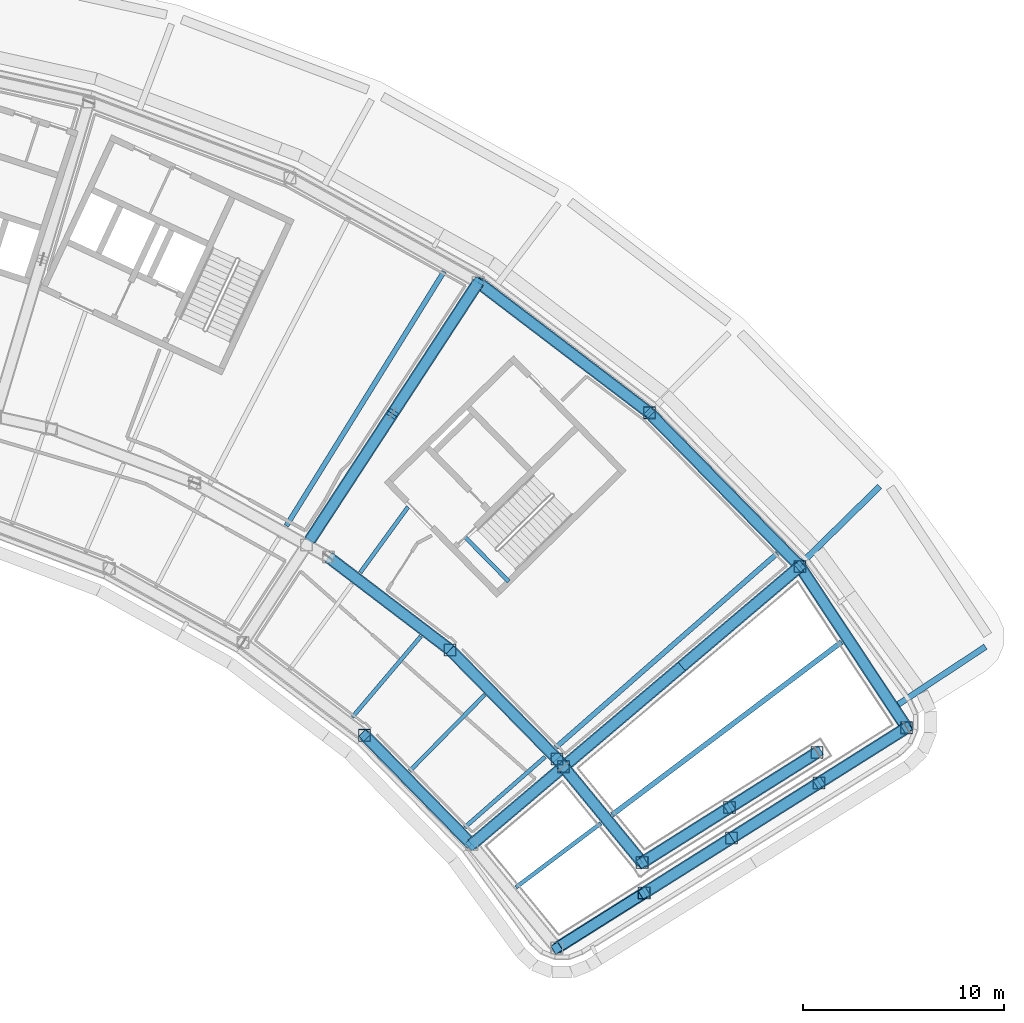
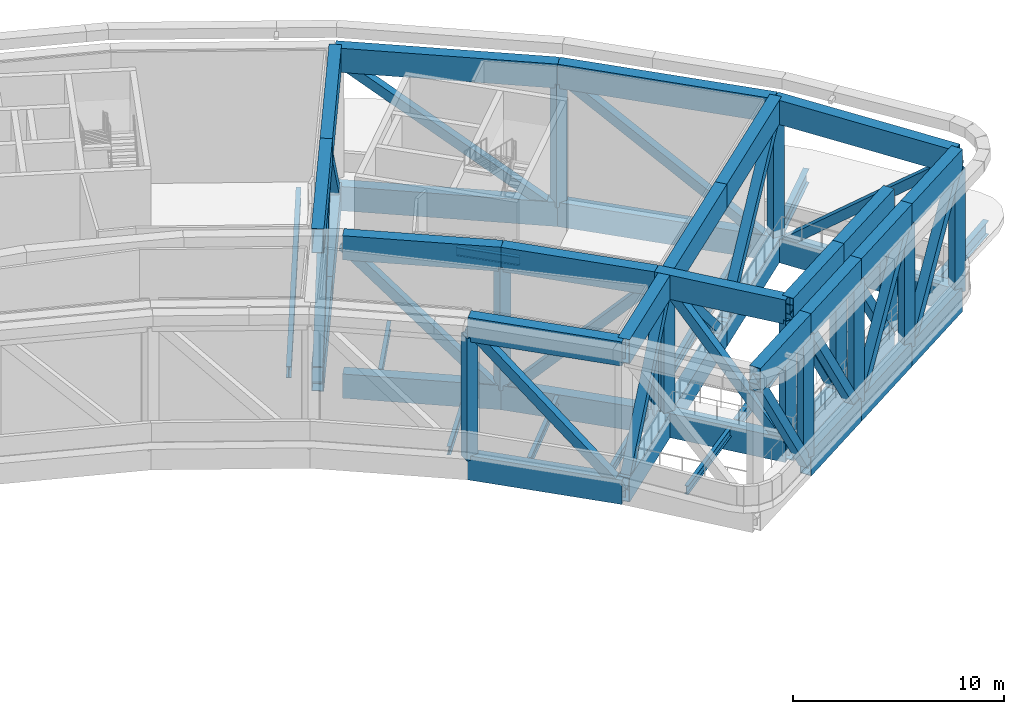
# One storey, part 4 of 24: 46 beams, 32 members.
"""IFC4 building model written with IfcOpenShell, lengths in metres."""

from ifc_helpers import new_model, si_unit, direction, frame, origin, origin_2d, place, context, subcontext, project, spatial, hollow_rectangle, i_section, extrude, material, material_profile, profile_set, type_object, element, save


model = new_model("IFC4")

# Units and contexts
model_context = context("Model", 3, precision=1e-05, world=origin(), true_north=direction((0.0, 1.0)))
body_context = subcontext(model_context, "Body", "Model", "MODEL_VIEW")
ifc_project = project(units=[si_unit("LENGTHUNIT", "METRE"), si_unit("AREAUNIT", "SQUARE_METRE"), si_unit("VOLUMEUNIT", "CUBIC_METRE"), si_unit("PLANEANGLEUNIT", "RADIAN"), si_unit("MASSUNIT", "GRAM", prefix="KILO")], contexts=[model_context])

# Site, building, storey
site_placement = place(None, origin())
site = spatial("IfcSite", under=ifc_project, at=site_placement, CompositionType="ELEMENT")
building_placement = place(site_placement, origin())
building = spatial("IfcBuilding", under=site, at=building_placement, Name="Tuul Gate Civic Tower", CompositionType="ELEMENT")
storey_placement = place(building_placement, frame((0.0, 0.0, 277.800048828125)))
storey = spatial("IfcBuildingStorey", under=building, at=storey_placement, Name="Wind floor 2", CompositionType="ELEMENT", Elevation=277.800048828125)

# Beams
ifc_material_1 = material(Name="Steel S355", Category="steel")
ifc_material_profile_1 = material_profile(ifc_material_1, i_section(OverallWidth=0.199951171875, OverallDepth=0.5, WebThickness=0.010009765625, FlangeThickness=0.01611328125, at=origin_2d()), Name="PG500x200x10x16")
ifc_profile_set_1 = profile_set([ifc_material_profile_1], Name="Steel S355")
beam_type_1 = type_object("IfcBeamType", Name="STR-FLOOR BEAM-PG500x200x10x16", PredefinedType="BEAM", material=ifc_profile_set_1)
beam_1_placement = place(storey_placement, frame((49.064697265625, -32.816650390625, -0.650146484375), z_axis=(0.798704369582, 0.601723632585, 0.0), x_axis=(-0.601723632585, 0.798704369582, 0.0)))
element("IfcBeam", 1, at=beam_1_placement, inside=storey, type_object=beam_type_1, Name="Floor beam", PredefinedType="BEAM", context=body_context, shape_type="SweptSolid", body=[
    extrude(i_section(OverallWidth=0.199951171875, OverallDepth=0.5, WebThickness=0.010009765625, FlangeThickness=0.01611328125, at=origin_2d()), origin(), (0.0, 0.0, 1.0), 5.276123046875),
])
beam_2_placement = place(storey_placement, frame((46.52294921875, -29.83984375, -0.650146484375), z_axis=(0.752009456766, 0.659152316945, 0.0), x_axis=(-0.659152316945, 0.752009456766, 0.0)))
element("IfcBeam", 2, at=beam_2_placement, inside=storey, type_object=beam_type_1, Name="Floor beam", PredefinedType="BEAM", context=body_context, shape_type="SweptSolid", body=[
    extrude(i_section(OverallWidth=0.199951171875, OverallDepth=0.5, WebThickness=0.010009765625, FlangeThickness=0.01611328125, at=origin_2d()), origin(), (0.0, 0.0, 1.0), 5.308349609375),
])
beam_3_placement = place(storey_placement, frame((43.787841796875, -27.049072265625, -0.650146484375), z_axis=(0.701209808499, 0.712954980672, 0.0), x_axis=(-0.712954980672, 0.701209808499, 0.0)))
element("IfcBeam", 3, at=beam_3_placement, inside=storey, type_object=beam_type_1, Name="Floor beam", PredefinedType="BEAM", context=body_context, shape_type="SweptSolid", body=[
    extrude(i_section(OverallWidth=0.199951171875, OverallDepth=0.5, WebThickness=0.010009765625, FlangeThickness=0.01611328125, at=origin_2d()), origin(), (0.0, 0.0, 1.0), 5.300537109375),
])
beam_4_placement = place(storey_placement, frame((40.9462890625, -24.367431640625, -0.650146484375), z_axis=(0.6465629616, 0.762860627302, 0.0), x_axis=(-0.762860627302, 0.6465629616, 0.0)))
element("IfcBeam", 4, at=beam_4_placement, inside=storey, type_object=beam_type_1, Name="Floor beam", PredefinedType="BEAM", context=body_context, shape_type="SweptSolid", body=[
    extrude(i_section(OverallWidth=0.199951171875, OverallDepth=0.5, WebThickness=0.010009765625, FlangeThickness=0.01611328125, at=origin_2d()), origin(), (0.0, 0.0, 1.0), 5.25244140625),
])
beam_5_placement = place(storey_placement, frame((41.33642578125, -17.192626953125, -0.650146484375), z_axis=(0.588384187957, 0.808581503228, 0.0), x_axis=(-0.808581503228, 0.588384187957, 0.0)))
element("IfcBeam", 5, at=beam_5_placement, inside=storey, type_object=beam_type_1, Name="Floor beam", PredefinedType="BEAM", context=body_context, shape_type="SweptSolid", body=[
    extrude(i_section(OverallWidth=0.199951171875, OverallDepth=0.5, WebThickness=0.010009765625, FlangeThickness=0.01611328125, at=origin_2d()), origin(), (0.0, 0.0, 1.0), 4.0302734375),
])
beam_6_placement = place(storey_placement, frame((46.539306640625, -15.4296875, 3.550048828125), z_axis=(0.700022587404, -0.714120702069, 0.0), x_axis=(0.714120702069, 0.700022587404, 0.0)))
element("IfcBeam", 6, at=beam_6_placement, inside=storey, type_object=beam_type_1, Name="Landing support beam", PredefinedType="BEAM", context=body_context, shape_type="SweptSolid", body=[
    extrude(i_section(OverallWidth=0.199951171875, OverallDepth=0.5, WebThickness=0.010009765625, FlangeThickness=0.01611328125, at=origin_2d()), origin(), (0.0, 0.0, 1.0), 3.099853515625),
])
ifc_material_2 = material(Name="Steel S355", Category="steel")
ifc_material_profile_2 = material_profile(ifc_material_2, i_section(OverallWidth=0.25, OverallDepth=0.64990234375, WebThickness=0.011962890625, FlangeThickness=0.02001953125, at=origin_2d()), Name="PG650x250x12x20")
ifc_profile_set_2 = profile_set([ifc_material_profile_2], Name="Steel S355")
beam_type_2 = type_object("IfcBeamType", Name="STR-FLOOR BEAM-PG650x250x12x20", PredefinedType="BEAM", material=ifc_profile_set_2)
beam_7_placement = place(storey_placement, frame((53.83837890625, -29.22021484375, -0.72509765625), z_axis=(0.798705583512, 0.601722021257, 0.0), x_axis=(-0.601722021257, 0.798705583512, 0.0)))
element("IfcBeam", 7, at=beam_7_placement, inside=storey, type_object=beam_type_2, Name="Floor beam", PredefinedType="BEAM", context=body_context, shape_type="SweptSolid", body=[
    extrude(i_section(OverallWidth=0.25, OverallDepth=0.64990234375, WebThickness=0.011962890625, FlangeThickness=0.02001953125, at=origin_2d()), origin(), (0.0, 0.0, 1.0), 14.2568359375),
])
beam_8_placement = place(storey_placement, frame((51.042236328125, -25.87890625, -0.72509765625), z_axis=(0.752011716176, 0.659149739235, 0.0), x_axis=(-0.659149739235, 0.752011716176, 0.0)))
element("IfcBeam", 8, at=beam_8_placement, inside=storey, type_object=beam_type_2, Name="Floor beam", PredefinedType="BEAM", context=body_context, shape_type="SweptSolid", body=[
    extrude(i_section(OverallWidth=0.25, OverallDepth=0.64990234375, WebThickness=0.011962890625, FlangeThickness=0.02001953125, at=origin_2d()), origin(), (0.0, 0.0, 1.0), 14.622802734375),
])
beam_9_placement = place(storey_placement, frame((37.66748046875, -14.87109375, -0.72509765625), z_axis=(0.527007594108, 0.849860574302, 0.0), x_axis=(-0.849860574302, 0.527007594108, 0.0)))
element("IfcBeam", 9, at=beam_9_placement, inside=storey, type_object=beam_type_2, Name="Floor beam", PredefinedType="BEAM", context=body_context, shape_type="SweptSolid", body=[
    extrude(i_section(OverallWidth=0.25, OverallDepth=0.64990234375, WebThickness=0.011962890625, FlangeThickness=0.02001953125, at=origin_2d()), origin(), (0.0, 0.0, 1.0), 14.85009765625),
])
ifc_material_3 = material(Name="Steel S355", Category="steel")
ifc_material_profile_3 = material_profile(ifc_material_3, i_section(OverallWidth=0.300048828125, OverallDepth=0.800048828125, WebThickness=0.013916015625, FlangeThickness=0.02490234375, at=origin_2d()), Name="PG800x300x14x25")
ifc_profile_set_3 = profile_set([ifc_material_profile_3], Name="Steel S355")
beam_type_3 = type_object("IfcBeamType", Name="STR-FLOOR BEAM-PG800x300x14x25", PredefinedType="BEAM", material=ifc_profile_set_3)
beam_10_placement = place(storey_placement, frame((72.368408203125, -20.874755859375, -0.800048828125), z_axis=(-0.83411846198, -0.551585343699, 0.0), x_axis=(0.551585343699, -0.83411846198, 0.0)))
element("IfcBeam", 10, at=beam_10_placement, inside=storey, type_object=beam_type_3, Name="Terrace beam", PredefinedType="BEAM", context=body_context, shape_type="SweptSolid", body=[
    extrude(i_section(OverallWidth=0.300048828125, OverallDepth=0.800048828125, WebThickness=0.013916015625, FlangeThickness=0.02490234375, at=origin_2d()), origin(), (0.0, 0.0, 1.0), 5.179443359375),
])
beam_11_placement = place(storey_placement, frame((67.117431640625, -12.922119140625, -0.800048828125), z_axis=(-0.714165856464, -0.69997652065, 0.0), x_axis=(0.69997652065, -0.714165856464, 0.0)))
element("IfcBeam", 11, at=beam_11_placement, inside=storey, type_object=beam_type_3, Name="Terrace beam", PredefinedType="BEAM", context=body_context, shape_type="SweptSolid", body=[
    extrude(i_section(OverallWidth=0.300048828125, OverallDepth=0.800048828125, WebThickness=0.013916015625, FlangeThickness=0.02490234375, at=origin_2d()), origin(), (0.0, 0.0, 1.0), 5.29931640625),
])
ifc_material_4 = material(Name="Steel S460", Category="steel")
ifc_material_profile_4 = material_profile(ifc_material_4, hollow_rectangle(XDim=0.60009765625, YDim=1.39990234375, WallThickness=0.031982421875, at=origin_2d()), Name="BOX1400x600x32")
ifc_profile_set_4 = profile_set([ifc_material_profile_4], Name="Steel S460")
beam_type_4 = type_object("IfcBeamType", Name="STR-TRANSFER TRUSS CHORD-BOX1400x600x32", PredefinedType="BEAM", material=ifc_profile_set_4)
beam_12_placement = place(storey_placement, frame((63.159912109375, -16.884033203125, -1.10009765625), z_axis=(-0.762816522532, -0.646614995923, 0.0), x_axis=(0.646614995923, -0.762816522532, 0.0)))
element("IfcBeam", 12, at=beam_12_placement, inside=storey, type_object=beam_type_4, Name="Radial truss bottom chord", PredefinedType="BEAM", context=body_context, shape_type="SweptSolid", body=[
    extrude(hollow_rectangle(XDim=0.60009765625, YDim=1.39990234375, WallThickness=0.031982421875, at=origin_2d()), origin(), (0.0, 0.0, 1.0), 7.69189453125),
])
beam_13_placement = place(storey_placement, frame((57.29248046875, -21.857666015625, -1.10009765625), z_axis=(-0.762828501086, -0.646600864468, 0.0), x_axis=(0.646600864468, -0.762828501086, 0.0)))
element("IfcBeam", 13, at=beam_13_placement, inside=storey, type_object=beam_type_4, Name="Radial truss bottom chord", PredefinedType="BEAM", context=body_context, shape_type="SweptSolid", body=[
    extrude(hollow_rectangle(XDim=0.60009765625, YDim=1.39990234375, WallThickness=0.031982421875, at=origin_2d()), origin(), (0.0, 0.0, 1.0), 7.391845703125),
])
beam_14_placement = place(storey_placement, frame((51.196044921875, -27.025146484375, -1.10009765625), z_axis=(-0.762817879306, -0.646613395323, 0.0), x_axis=(0.646613395323, -0.762817879306, 0.0)))
element("IfcBeam", 14, at=beam_14_placement, inside=storey, type_object=beam_type_4, Name="Radial truss bottom chord", PredefinedType="BEAM", context=body_context, shape_type="SweptSolid", body=[
    extrude(hollow_rectangle(XDim=0.60009765625, YDim=1.39990234375, WallThickness=0.031982421875, at=origin_2d()), origin(), (0.0, 0.0, 1.0), 5.672607421875),
])
beam_15_placement = place(storey_placement, frame((63.159912109375, -16.884033203125, 6.89990234375), z_axis=(-0.762816522532, -0.646614995923, 0.0), x_axis=(0.646614995923, -0.762816522532, 0.0)))
element("IfcBeam", 15, at=beam_15_placement, inside=storey, type_object=beam_type_4, Name="Radial truss top chord", PredefinedType="BEAM", context=body_context, shape_type="SweptSolid", body=[
    extrude(hollow_rectangle(XDim=0.60009765625, YDim=1.39990234375, WallThickness=0.031982421875, at=origin_2d()), origin(), (0.0, 0.0, 1.0), 7.69189453125),
])
beam_16_placement = place(storey_placement, frame((57.29248046875, -21.857666015625, 6.89990234375), z_axis=(-0.762828501086, -0.646600864468, 0.0), x_axis=(0.646600864468, -0.762828501086, 0.0)))
element("IfcBeam", 16, at=beam_16_placement, inside=storey, type_object=beam_type_4, Name="Radial truss top chord", PredefinedType="BEAM", context=body_context, shape_type="SweptSolid", body=[
    extrude(hollow_rectangle(XDim=0.60009765625, YDim=1.39990234375, WallThickness=0.031982421875, at=origin_2d()), origin(), (0.0, 0.0, 1.0), 7.391845703125),
])
beam_17_placement = place(storey_placement, frame((51.196044921875, -27.025146484375, 6.89990234375), z_axis=(-0.762817879306, -0.646613395323, 0.0), x_axis=(0.646613395323, -0.762817879306, 0.0)))
element("IfcBeam", 17, at=beam_17_placement, inside=storey, type_object=beam_type_4, Name="Radial truss top chord", PredefinedType="BEAM", context=body_context, shape_type="SweptSolid", body=[
    extrude(hollow_rectangle(XDim=0.60009765625, YDim=1.39990234375, WallThickness=0.031982421875, at=origin_2d()), origin(), (0.0, 0.0, 1.0), 5.672607421875),
])
beam_18_placement = place(storey_placement, frame((47.19091796875, -2.791015625, -1.10009765625), z_axis=(-0.546744940995, -0.837299211451, 0.0), x_axis=(0.837299211451, -0.546744940995, 0.0)))
element("IfcBeam", 18, at=beam_18_placement, inside=storey, type_object=beam_type_4, Name="Radial truss bottom chord", PredefinedType="BEAM", context=body_context, shape_type="SweptSolid", body=[
    extrude(hollow_rectangle(XDim=0.60009765625, YDim=1.39990234375, WallThickness=0.031982421875, at=origin_2d()), origin(), (0.0, 0.0, 1.0), 7.78662109375),
])
beam_19_placement = place(storey_placement, frame((42.93359375, -9.310791015625, -1.10009765625), z_axis=(-0.546750174681, -0.837295793902, 0.0), x_axis=(0.837295793902, -0.546750174681, 0.0)))
element("IfcBeam", 19, at=beam_19_placement, inside=storey, type_object=beam_type_4, Name="Radial truss bottom chord", PredefinedType="BEAM", context=body_context, shape_type="SweptSolid", body=[
    extrude(hollow_rectangle(XDim=0.60009765625, YDim=1.39990234375, WallThickness=0.031982421875, at=origin_2d()), origin(), (0.0, 0.0, 1.0), 7.486083984375),
])
beam_20_placement = place(storey_placement, frame((47.19091796875, -2.791015625, 6.89990234375), z_axis=(-0.546744940995, -0.837299211451, 0.0), x_axis=(0.837299211451, -0.546744940995, 0.0)))
element("IfcBeam", 20, at=beam_20_placement, inside=storey, type_object=beam_type_4, Name="Radial truss top chord", PredefinedType="BEAM", context=body_context, shape_type="SweptSolid", body=[
    extrude(hollow_rectangle(XDim=0.60009765625, YDim=1.39990234375, WallThickness=0.031982421875, at=origin_2d()), origin(), (0.0, 0.0, 1.0), 7.78662109375),
])
beam_21_placement = place(storey_placement, frame((42.93359375, -9.310791015625, 6.89990234375), z_axis=(-0.546750174681, -0.837295793902, 0.0), x_axis=(0.837295793902, -0.546750174681, 0.0)))
element("IfcBeam", 21, at=beam_21_placement, inside=storey, type_object=beam_type_4, Name="Radial truss top chord", PredefinedType="BEAM", context=body_context, shape_type="SweptSolid", body=[
    extrude(hollow_rectangle(XDim=0.60009765625, YDim=1.39990234375, WallThickness=0.031982421875, at=origin_2d()), origin(), (0.0, 0.0, 1.0), 7.486083984375),
])
for number, where, z_axis, x_axis, name in (
    (22, (63.159912109375, -16.884033203125, -1.10009765625), (-0.699994363812, 0.71414836738, 0.0), (-0.71414836738, -0.699994363812, 0.0), "Belt truss bottom chord"),
    (23, (63.159912109375, -16.884033203125, 6.89990234375), (-0.699994363812, 0.71414836738, 0.0), (-0.71414836738, -0.699994363812, 0.0), "Belt truss top chord"),
):
    element("IfcBeam", number, at=place(storey_placement, frame(where, z_axis=z_axis, x_axis=x_axis)), inside=storey, type_object=beam_type_4, Name=name, PredefinedType="BEAM", context=body_context, shape_type="SweptSolid", body=[
        extrude(hollow_rectangle(XDim=0.60009765625, YDim=1.39990234375, WallThickness=0.031982421875, at=origin_2d()), origin(), (0.0, 0.0, 1.0), 10.677001953125),
    ])
for number, where, z_axis, x_axis, name in (
    (24, (55.68603515625, -9.259033203125, -1.10009765625), (-0.795632710164, 0.605779324933, 0.0), (-0.605779324933, -0.795632710164, 0.0), "Belt truss bottom chord"),
    (25, (55.68603515625, -9.259033203125, 6.89990234375), (-0.795632710164, 0.605779324933, 0.0), (-0.605779324933, -0.795632710164, 0.0), "Belt truss top chord"),
):
    element("IfcBeam", number, at=place(storey_placement, frame(where, z_axis=z_axis, x_axis=x_axis)), inside=storey, type_object=beam_type_4, Name=name, PredefinedType="BEAM", context=body_context, shape_type="SweptSolid", body=[
        extrude(hollow_rectangle(XDim=0.60009765625, YDim=1.39990234375, WallThickness=0.031982421875, at=origin_2d()), origin(), (0.0, 0.0, 1.0), 10.67724609375),
    ])
for number, where, z_axis, x_axis, name in (
    (26, (68.458984375, -24.89697265625, -1.10009765625), (-0.551605665118, 0.834105023489, 0.0), (-0.834105023489, -0.551605665118, 0.0), "Belt truss bottom chord"),
    (27, (68.458984375, -24.89697265625, 6.89990234375), (-0.551605665118, 0.834105023489, 0.0), (-0.834105023489, -0.551605665118, 0.0), "Belt truss top chord"),
):
    element("IfcBeam", number, at=place(storey_placement, frame(where, z_axis=z_axis, x_axis=x_axis)), inside=storey, type_object=beam_type_4, Name=name, PredefinedType="BEAM", context=body_context, shape_type="SweptSolid", body=[
        extrude(hollow_rectangle(XDim=0.60009765625, YDim=1.39990234375, WallThickness=0.031982421875, at=origin_2d()), origin(), (0.0, 0.0, 1.0), 9.606689453125),
    ])
for number, where, z_axis, x_axis, name in (
    (28, (39.757080078125, -16.429931640625, -1.10009765625), (0.795657538092, -0.605746714459, 0.0), (0.605746714459, 0.795657538092, 0.0), "Belt truss bottom chord"),
    (29, (39.757080078125, -16.429931640625, 6.89990234375), (0.795657538092, -0.605746714459, 0.0), (0.605746714459, 0.795657538092, 0.0), "Belt truss top chord"),
):
    element("IfcBeam", number, at=place(storey_placement, frame(where, z_axis=z_axis, x_axis=x_axis)), inside=storey, type_object=beam_type_4, Name=name, PredefinedType="BEAM", context=body_context, shape_type="SweptSolid", body=[
        extrude(hollow_rectangle(XDim=0.60009765625, YDim=1.39990234375, WallThickness=0.031982421875, at=origin_2d()), origin(), (0.0, 0.0, 1.0), 7.592529296875),
    ])
for number, where, z_axis, x_axis, name in (
    (30, (41.554931640625, -25.27099609375, -1.10009765625), (0.699947938495, -0.714193869615, 0.0), (0.714193869615, 0.699947938495, 0.0), "Belt truss bottom chord"),
    (31, (41.554931640625, -25.27099609375, 6.89990234375), (0.699947938495, -0.714193869615, 0.0), (0.714193869615, 0.699947938495, 0.0), "Belt truss top chord"),
):
    element("IfcBeam", number, at=place(storey_placement, frame(where, z_axis=z_axis, x_axis=x_axis)), inside=storey, type_object=beam_type_4, Name=name, PredefinedType="BEAM", context=body_context, shape_type="SweptSolid", body=[
        extrude(hollow_rectangle(XDim=0.60009765625, YDim=1.39990234375, WallThickness=0.031982421875, at=origin_2d()), origin(), (0.0, 0.0, 1.0), 7.592041015625),
    ])
for number, where, z_axis, x_axis, name in (
    (32, (45.798095703125, -21.029052734375, -1.10009765625), (0.700028321622, -0.714115081011, 0.0), (0.714115081011, 0.700028321622, 0.0), "Belt truss bottom chord"),
    (33, (45.798095703125, -21.029052734375, 6.89990234375), (0.700028321622, -0.714115081011, 0.0), (0.714115081011, 0.700028321622, 0.0), "Belt truss top chord"),
):
    element("IfcBeam", number, at=place(storey_placement, frame(where, z_axis=z_axis, x_axis=x_axis)), inside=storey, type_object=beam_type_4, Name=name, PredefinedType="BEAM", context=body_context, shape_type="SweptSolid", body=[
        extrude(hollow_rectangle(XDim=0.60009765625, YDim=1.39990234375, WallThickness=0.031982421875, at=origin_2d()), origin(), (0.0, 0.0, 1.0), 7.591064453125),
    ])
for number, where, z_axis, x_axis, name in (
    (34, (51.112060546875, -26.449951171875, -1.10009765625), (0.634390286361, -0.773012913586, 0.0), (0.773012913586, 0.634390286361, 0.0), "Belt truss bottom chord"),
    (35, (51.112060546875, -26.449951171875, 6.89990234375), (0.634390286361, -0.773012913586, 0.0), (0.773012913586, 0.634390286361, 0.0), "Belt truss top chord"),
):
    element("IfcBeam", number, at=place(storey_placement, frame(where, z_axis=z_axis, x_axis=x_axis)), inside=storey, type_object=beam_type_4, Name=name, PredefinedType="BEAM", context=body_context, shape_type="SweptSolid", body=[
        extrude(hollow_rectangle(XDim=0.60009765625, YDim=1.39990234375, WallThickness=0.031982421875, at=origin_2d()), origin(), (0.0, 0.0, 1.0), 6.652099609375),
    ])
beam_22_placement = place(storey_placement, frame((51.089111328125, -35.8349609375, 6.89990234375), z_axis=(0.846186761618, 0.532886446124, 0.0), x_axis=(-0.532886446124, 0.846186761618, 0.0)))
element("IfcBeam", 36, at=beam_22_placement, inside=storey, type_object=beam_type_4, Name="Belt truss top chord", PredefinedType="BEAM", context=body_context, shape_type="SweptSolid", body=[
    extrude(hollow_rectangle(XDim=0.60009765625, YDim=1.39990234375, WallThickness=0.031982421875, at=origin_2d()), origin(), (0.0, 0.0, 1.0), 5.132080078125),
])
for number, where, z_axis, x_axis, name in (
    (37, (59.77392578125, -30.365966796875, -1.10009765625), (0.846200269344, 0.532864996188, 0.0), (-0.532864996188, 0.846200269344, 0.0), "Belt truss bottom chord"),
    (38, (59.77392578125, -30.365966796875, 6.89990234375), (0.846200269344, 0.532864996188, 0.0), (-0.532864996188, 0.846200269344, 0.0), "Belt truss top chord"),
    (39, (59.674072265625, -28.85791015625, -1.10009765625), (0.846200269344, 0.532864996188, 0.0), (-0.532864996188, 0.846200269344, 0.0), "Belt truss bottom chord"),
    (40, (59.674072265625, -28.85791015625, 6.89990234375), (0.846200269344, 0.532864996188, 0.0), (-0.532864996188, 0.846200269344, 0.0), "Belt truss top chord"),
):
    element("IfcBeam", number, at=place(storey_placement, frame(where, z_axis=z_axis, x_axis=x_axis)), inside=storey, type_object=beam_type_4, Name=name, PredefinedType="BEAM", context=body_context, shape_type="SweptSolid", body=[
        extrude(hollow_rectangle(XDim=0.60009765625, YDim=1.39990234375, WallThickness=0.031982421875, at=origin_2d()), origin(), (0.0, 0.0, 1.0), 5.13232421875),
    ])
for number, where, z_axis, x_axis, name in (
    (41, (55.431884765625, -33.10009765625, -1.10009765625), (0.846210591722, 0.532848603694, 0.0), (-0.532848603694, 0.846210591722, 0.0), "Belt truss bottom chord"),
    (42, (55.431884765625, -33.10009765625, 6.89990234375), (0.846210591722, 0.532848603694, 0.0), (-0.532848603694, 0.846210591722, 0.0), "Belt truss top chord"),
    (43, (64.116943359375, -27.631103515625, -1.10009765625), (0.846210591722, 0.532848603694, 0.0), (-0.532848603694, 0.846210591722, 0.0), "Belt truss bottom chord"),
    (44, (64.116943359375, -27.631103515625, 6.89990234375), (0.846210591722, 0.532848603694, 0.0), (-0.532848603694, 0.846210591722, 0.0), "Belt truss top chord"),
    (45, (55.33203125, -31.592041015625, -1.10009765625), (0.846210591722, 0.532848603694, 0.0), (-0.532848603694, 0.846210591722, 0.0), "Belt truss bottom chord"),
    (46, (55.33203125, -31.592041015625, 6.89990234375), (0.846210591722, 0.532848603694, 0.0), (-0.532848603694, 0.846210591722, 0.0), "Belt truss top chord"),
):
    element("IfcBeam", number, at=place(storey_placement, frame(where, z_axis=z_axis, x_axis=x_axis)), inside=storey, type_object=beam_type_4, Name=name, PredefinedType="BEAM", context=body_context, shape_type="SweptSolid", body=[
        extrude(hollow_rectangle(XDim=0.60009765625, YDim=1.39990234375, WallThickness=0.031982421875, at=origin_2d()), origin(), (0.0, 0.0, 1.0), 5.131103515625),
    ])

# Members
ifc_material_5 = material(Name="Steel S355", Category="steel")
ifc_material_profile_5 = material_profile(ifc_material_5, hollow_rectangle(XDim=0.5, YDim=0.5, WallThickness=0.02001953125, at=origin_2d()), Name="BOX500x500x20")
ifc_profile_set_5 = profile_set([ifc_material_profile_5], Name="Steel S355")
member_type_1 = type_object("IfcMemberType", Name="STR-TRANSFER TRUSS DIAGONAL-BOX500x500x20", PredefinedType="BRACE", material=ifc_profile_set_5)
member_1_placement = place(storey_placement, frame((57.289794921875, -21.85986328125, -1.103759765625), z_axis=(0.5286999708, 0.448147678429, 0.720860596229), x_axis=(-0.646603025715, 0.76282666913, 0.0)))
element("IfcMember", 47, at=member_1_placement, inside=storey, type_object=member_type_1, Name="Radial truss web", PredefinedType="BRACE", context=body_context, shape_type="SweptSolid", body=[
    extrude(hollow_rectangle(XDim=0.5, YDim=0.5, WallThickness=0.02001953125, at=origin_2d()), origin(), (0.0, 0.0, 1.0), 11.10791015625),
])
member_2_placement = place(storey_placement, frame((57.295166015625, -21.85546875, -1.103759765625), z_axis=(-0.528715805727, -0.44814247085, 0.720852219664), x_axis=(0.646587384252, -0.762839927197, 0.0)))
element("IfcMember", 48, at=member_2_placement, inside=storey, type_object=member_type_1, Name="Radial truss web", PredefinedType="BRACE", context=body_context, shape_type="SweptSolid", body=[
    extrude(hollow_rectangle(XDim=0.5, YDim=0.5, WallThickness=0.02001953125, at=origin_2d()), origin(), (0.0, 0.0, 1.0), 11.108154296875),
])
member_3_placement = place(storey_placement, frame((46.86669921875, -30.69482421875, -1.10400390625), z_axis=(0.456352593335, 0.386800353869, 0.801328769485), x_axis=(-0.646580911655, 0.762845413359, 0.0)))
element("IfcMember", 49, at=member_3_placement, inside=storey, type_object=member_type_1, Name="Radial truss web", PredefinedType="BRACE", context=body_context, shape_type="SweptSolid", body=[
    extrude(hollow_rectangle(XDim=0.5, YDim=0.5, WallThickness=0.02001953125, at=origin_2d()), origin(), (0.0, 0.0, 1.0), 9.993408203125),
])
member_4_placement = place(storey_placement, frame((47.19287109375, -2.7880859375, -1.103515625), z_axis=(-0.381356794023, -0.584008579548, 0.716589823167), x_axis=(0.837294503068, -0.546752151466, 0.0)))
element("IfcMember", 50, at=member_4_placement, inside=storey, type_object=member_type_1, Name="Radial truss web", PredefinedType="BRACE", context=body_context, shape_type="SweptSolid", body=[
    extrude(hollow_rectangle(XDim=0.5, YDim=0.5, WallThickness=0.02001953125, at=origin_2d()), origin(), (0.0, 0.0, 1.0), 11.173828125),
])
member_5_placement = place(storey_placement, frame((38.67431640625, -15.833740234375, -1.103515625), z_axis=(0.381351927855, 0.584022976485, 0.716580679378), x_axis=(-0.837303867025, 0.546737811263, 0.0)))
element("IfcMember", 51, at=member_5_placement, inside=storey, type_object=member_type_1, Name="Radial truss web", PredefinedType="BRACE", context=body_context, shape_type="SweptSolid", body=[
    extrude(hollow_rectangle(XDim=0.5, YDim=0.5, WallThickness=0.02001953125, at=origin_2d()), origin(), (0.0, 0.0, 1.0), 11.174072265625),
])
member_6_placement = place(storey_placement, frame((63.162841796875, -16.886962890625, -1.10302734375), z_axis=(-0.560204826426, 0.571523388542, 0.5996095136), x_axis=(-0.714142934394, -0.699999906611, 0.0)))
element("IfcMember", 52, at=member_6_placement, inside=storey, type_object=member_type_1, Name="Belt truss web", PredefinedType="BRACE", context=body_context, shape_type="SweptSolid", body=[
    extrude(hollow_rectangle(XDim=0.5, YDim=0.5, WallThickness=0.02001953125, at=origin_2d()), origin(), (0.0, 0.0, 1.0), 13.351806640625),
])
member_7_placement = place(storey_placement, frame((55.689208984375, -9.261474609375, -1.10302734375), z_axis=(-0.636734129395, 0.484800757356, 0.599614771441), x_axis=(-0.605782277051, -0.79563046247, 0.0)))
element("IfcMember", 53, at=member_7_placement, inside=storey, type_object=member_type_1, Name="Belt truss web", PredefinedType="BRACE", context=body_context, shape_type="SweptSolid", body=[
    extrude(hollow_rectangle(XDim=0.5, YDim=0.5, WallThickness=0.02001953125, at=origin_2d()), origin(), (0.0, 0.0, 1.0), 13.3515625),
])
member_8_placement = place(storey_placement, frame((63.157958984375, -16.880859375, -1.103271484375), z_axis=(0.423871771151, -0.640959214944, 0.639925000605), x_axis=(0.834107292134, 0.551602234594, 0.0)))
element("IfcMember", 54, at=member_8_placement, inside=storey, type_object=member_type_1, Name="Belt truss web", PredefinedType="BRACE", context=body_context, shape_type="SweptSolid", body=[
    extrude(hollow_rectangle(XDim=0.5, YDim=0.5, WallThickness=0.02001953125, at=origin_2d()), origin(), (0.0, 0.0, 1.0), 12.511474609375),
])
member_9_placement = place(storey_placement, frame((45.80078125, -21.031005859375, -1.103759765625), z_axis=(-0.5477352224, 0.416966119559, 0.725345008449), x_axis=(-0.605715997552, -0.795680922424, 0.0)))
element("IfcMember", 55, at=member_9_placement, inside=storey, type_object=member_type_1, Name="Belt truss web", PredefinedType="BRACE", context=body_context, shape_type="SweptSolid", body=[
    extrude(hollow_rectangle(XDim=0.5, YDim=0.5, WallThickness=0.02001953125, at=origin_2d()), origin(), (0.0, 0.0, 1.0), 11.039306640625),
])
member_10_placement = place(storey_placement, frame((46.871337890625, -30.695556640625, -1.103759765625), z_axis=(-0.481822905813, 0.491620369655, 0.725366183092), x_axis=(-0.714187462229, -0.69995447623, 0.0)))
element("IfcMember", 56, at=member_10_placement, inside=storey, type_object=member_type_1, Name="Belt truss web", PredefinedType="BRACE", context=body_context, shape_type="SweptSolid", body=[
    extrude(hollow_rectangle(XDim=0.5, YDim=0.5, WallThickness=0.02001953125, at=origin_2d()), origin(), (0.0, 0.0, 1.0), 11.0390625),
])
member_11_placement = place(storey_placement, frame((45.795654296875, -21.026611328125, -1.103759765625), z_axis=(0.481849098727, -0.491536508313, 0.725405615536), x_axis=(0.714108743761, 0.700034786338, 0.0)))
element("IfcMember", 57, at=member_11_placement, inside=storey, type_object=member_type_1, Name="Belt truss web", PredefinedType="BRACE", context=body_context, shape_type="SweptSolid", body=[
    extrude(hollow_rectangle(XDim=0.5, YDim=0.5, WallThickness=0.02001953125, at=origin_2d()), origin(), (0.0, 0.0, 1.0), 11.038330078125),
])
member_12_placement = place(storey_placement, frame((51.11181640625, -26.44970703125, -1.10498046875), z_axis=(0.039031003353, -0.047579492786, 0.998104590032), x_axis=(0.773141737828, 0.634233279817, 0.0)))
element("IfcMember", 58, at=member_12_placement, inside=storey, type_object=member_type_1, Name="Belt truss web", PredefinedType="BRACE", context=body_context, shape_type="SweptSolid", body=[
    extrude(hollow_rectangle(XDim=0.5, YDim=0.5, WallThickness=0.02001953125, at=origin_2d()), origin(), (0.0, 0.0, 1.0), 8.025146484375),
])
member_13_placement = place(storey_placement, frame((55.333984375, -31.59423828125, -1.10400390625), z_axis=(-0.387011647774, 0.471540596311, 0.792383398689), x_axis=(-0.772987717715, -0.634420986618, 0.0)))
element("IfcMember", 59, at=member_13_placement, inside=storey, type_object=member_type_1, Name="Belt truss web", PredefinedType="BRACE", context=body_context, shape_type="SweptSolid", body=[
    extrude(hollow_rectangle(XDim=0.5, YDim=0.5, WallThickness=0.02001953125, at=origin_2d()), origin(), (0.0, 0.0, 1.0), 10.10595703125),
])
for number, where, z_axis, x_axis, name in (
    (60, (55.434326171875, -33.0986328125, -1.104248046875), (-0.456938470519, -0.287741914218, 0.841672041215), (0.532866201204, -0.846199510526, 0.0), "Belt truss web"),
    (61, (59.771728515625, -30.367431640625, -1.104248046875), (0.456938470519, 0.287741914218, 0.841672041215), (-0.532866201204, 0.846199510526, 0.0), "Belt truss web"),
    (62, (64.019287109375, -26.12158203125, -1.104248046875), (-0.456938470519, -0.287741914218, 0.841672041215), (0.532866201204, -0.846199510526, 0.0), "Belt truss web"),
):
    element("IfcMember", number, at=place(storey_placement, frame(where, z_axis=z_axis, x_axis=x_axis)), inside=storey, type_object=member_type_1, Name=name, PredefinedType="BRACE", context=body_context, shape_type="SweptSolid", body=[
        extrude(hollow_rectangle(XDim=0.5, YDim=0.5, WallThickness=0.02001953125, at=origin_2d()), origin(), (0.0, 0.0, 1.0), 9.5146484375),
    ])
for number, where, z_axis, x_axis, name in (
    (63, (59.7763671875, -30.364501953125, -1.104248046875), (-0.456870749691, -0.287661261741, 0.841736369994), (0.532815790943, -0.846231252627, 0.0), "Belt truss web"),
    (64, (64.11474609375, -27.63232421875, -1.104248046875), (0.456850444475, 0.287664634194, 0.841746238255), (-0.532837222396, 0.84621775828, 0.0), "Belt truss web"),
    (65, (59.67626953125, -28.8564453125, -1.104248046875), (-0.456847071944, -0.287688171857, 0.841740024372), (0.532871258255, -0.846196325994, 0.0), "Belt truss web"),
):
    element("IfcMember", number, at=place(storey_placement, frame(where, z_axis=z_axis, x_axis=x_axis)), inside=storey, type_object=member_type_1, Name=name, PredefinedType="BRACE", context=body_context, shape_type="SweptSolid", body=[
        extrude(hollow_rectangle(XDim=0.5, YDim=0.5, WallThickness=0.02001953125, at=origin_2d()), origin(), (0.0, 0.0, 1.0), 9.513916015625),
    ])
ifc_material_6 = material(Name="Steel S355", Category="steel")
ifc_material_profile_6 = material_profile(ifc_material_6, hollow_rectangle(XDim=0.60009765625, YDim=0.60009765625, WallThickness=0.028076171875, at=origin_2d()), Name="BOX600x600x28")
ifc_profile_set_6 = profile_set([ifc_material_profile_6], Name="Steel S355")
member_type_2 = type_object("IfcMemberType", Name="STR-TRUSS POST-BOX600x600x28", PredefinedType="POST", material=ifc_profile_set_6)
for number, where, z_axis, x_axis, name in (
    (66, (63.159912109375, -16.884033203125, -0.64501953125), (0.0, 0.0, 1.0), (1.0, 0.0, 0.0), "Radial truss post"),
    (67, (51.4248046875, -26.831298828125, -0.64501953125), (0.0, 0.0, 1.0), (1.0, 0.0, 0.0), "Radial truss post"),
    (68, (55.68603515625, -9.259033203125, -0.64501953125), (0.0, 0.0, 1.0), (1.0, 0.0, 0.0), "Belt truss post"),
    (69, (68.458984375, -24.89697265625, -0.64501953125), (0.0, 0.0, 1.0), (1.0, 0.0, 0.0), "Belt truss post"),
    (70, (45.798095703125, -21.029052734375, -0.64501953125), (0.0, 0.0, 1.0), (1.0, 0.0, 0.0), "Belt truss post"),
    (71, (41.554931640625, -25.27099609375, -0.64501953125), (0.0, 0.0, 1.0), (1.0, 0.0, 0.0), "Belt truss post"),
    (72, (51.112060546875, -26.449951171875, -0.64501953125), (0.0, 0.0, 1.0), (1.0, 0.0, 0.0), "Belt truss post"),
    (73, (55.33203125, -31.592041015625, -0.64501953125), (0.0, 0.0, 1.0), (1.0, 0.0, 0.0), "Belt truss post"),
    (74, (55.431884765625, -33.10009765625, -0.64501953125), (0.0, 0.0, 1.0), (1.0, 0.0, 0.0), "Belt truss post"),
    (75, (59.77392578125, -30.365966796875, -0.64501953125), (0.0, 0.0, 1.0), (1.0, 0.0, 0.0), "Belt truss post"),
    (76, (64.116943359375, -27.631103515625, -0.64501953125), (0.0, 0.0, 1.0), (1.0, 0.0, 0.0), "Belt truss post"),
    (77, (59.674072265625, -28.85791015625, -0.64501953125), (0.0, 0.0, 1.0), (1.0, 0.0, 0.0), "Belt truss post"),
    (78, (64.01708984375, -26.123046875, -0.64501953125), (0.0, 0.0, 1.0), (1.0, 0.0, 0.0), "Belt truss post"),
):
    element("IfcMember", number, at=place(storey_placement, frame(where, z_axis=z_axis, x_axis=x_axis)), inside=storey, type_object=member_type_2, Name=name, PredefinedType="POST", context=body_context, shape_type="SweptSolid", body=[
        extrude(hollow_rectangle(XDim=0.60009765625, YDim=0.60009765625, WallThickness=0.028076171875, at=origin_2d()), origin(), (0.0, 0.0, 1.0), 7.090087890625),
    ])

save(model, "model.ifc")
